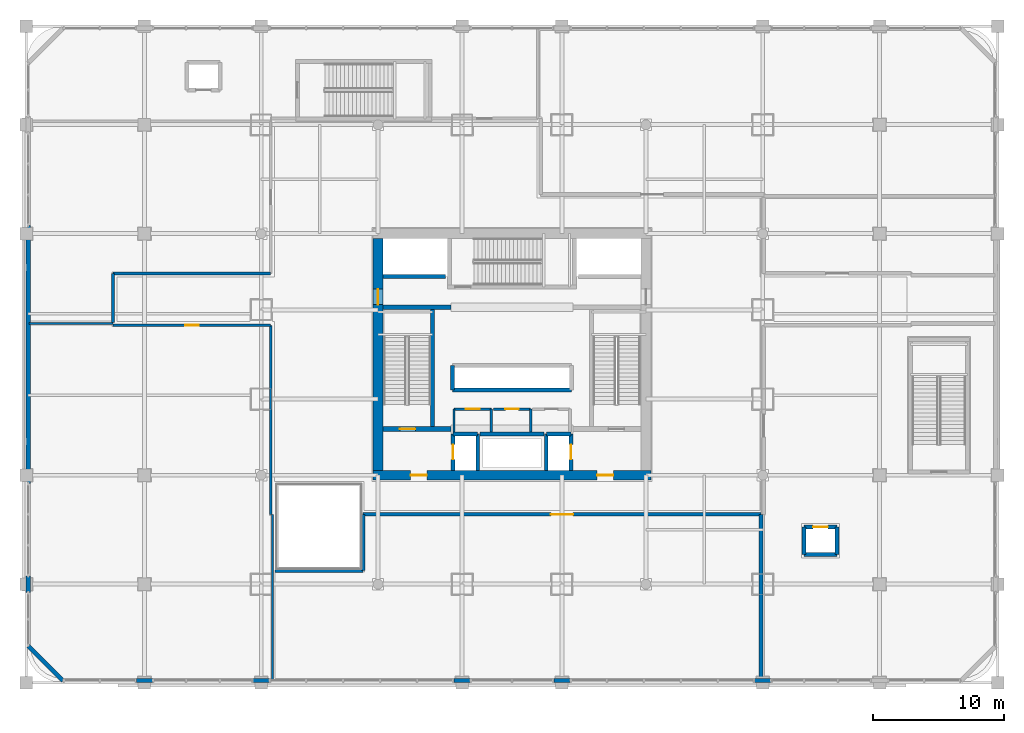
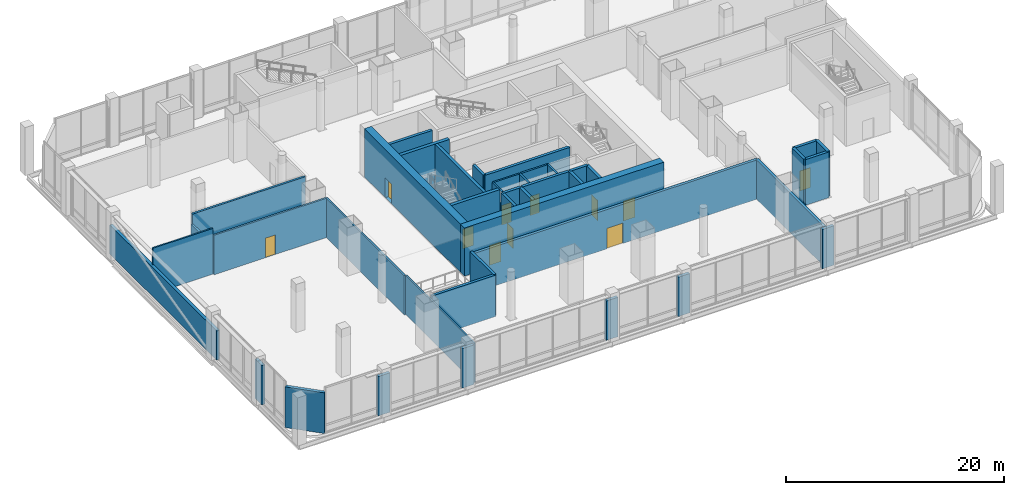
# One storey, part 27 of 39: 42 walls, 11 doors, 11 openings.
"""IFC4 building model written with IfcOpenShell, lengths in metres."""

from ifc_helpers import new_model, si_unit, direction, frame, frame_2d, origin, place, context, subcontext, project, spatial, rectangle, extrude, material, layer, layer_set, type_object, element, fill, save


model = new_model("IFC4")

# Units and contexts
model_context = context("Model", 3, precision=1e-05, world=origin(), true_north=direction((0.0, 1.0)))
body_context = subcontext(model_context, "Body", "Model", "MODEL_VIEW")
ifc_project = project(units=[si_unit("LENGTHUNIT", "METRE"), si_unit("AREAUNIT", "SQUARE_METRE"), si_unit("VOLUMEUNIT", "CUBIC_METRE"), si_unit("PLANEANGLEUNIT", "RADIAN"), si_unit("MASSUNIT", "GRAM", prefix="KILO")], contexts=[model_context])

# Site, building, storey
site_placement = place(None, origin())
site = spatial("IfcSite", under=ifc_project, at=site_placement, CompositionType="ELEMENT")
building_placement = place(site_placement, origin())
building = spatial("IfcBuilding", under=site, at=building_placement, Name="Punatoya Terracotta Tower", CompositionType="ELEMENT")
storey_placement = place(building_placement, frame((0.0, 0.0, 11.39990234375)))
storey = spatial("IfcBuildingStorey", under=building, at=storey_placement, Name="L02", CompositionType="ELEMENT", Elevation=11.39990234375)

# Walls
ifc_material_1 = material(Name="Concrete C40/50", Category="concrete")
ifc_layer_1 = layer(ifc_material_1, 0.280029296875)
ifc_layer_set_1 = layer_set([ifc_layer_1], Name="Concrete C40/50")
wall_type_1 = type_object("IfcWallType", Name="WL-AUD-280", PredefinedType="SOLIDWALL", material=ifc_layer_set_1)
wall_1_placement = place(storey_placement, frame((-18.06005859375, -16.4599609375, 0.0), z_axis=(0.0, 0.0, 1.0), x_axis=(1.0, 0.0, 0.0)))
element("IfcWall", 1, at=wall_1_placement, inside=storey, type_object=wall_type_1, Name="L02 Waterfront Staff Restaurant Dining Room Partition 12", PredefinedType="SOLIDWALL", context=body_context, shape_type="SweptSolid", body=[
    extrude(rectangle(XDim=6.719970703125, YDim=0.280029296875, at=frame_2d((3.35986328125, 0.0))), origin(), (0.0, 0.0, 1.0), 4.6640625),
])
wall_2_placement = place(storey_placement, frame((-11.340087890625, -16.4599609375, 0.0), z_axis=(0.0, 0.0, 1.0), x_axis=(0.0, 1.0, 0.0)))
element("IfcWall", 2, at=wall_2_placement, inside=storey, type_object=wall_type_1, Name="L02 Waterfront Staff Restaurant Dining Room Partition 13", PredefinedType="SOLIDWALL", context=body_context, shape_type="SweptSolid", body=[
    extrude(rectangle(XDim=4.280029296875, YDim=0.280029296875, at=frame_2d((2.14013671875, 0.0))), origin(), (0.0, 0.0, 1.0), 4.6640625),
])

# Wall, opening, door
wall_3_placement = place(storey_placement, frame((-11.340087890625, -12.179931640625, 0.0), z_axis=(0.0, 0.0, 1.0), x_axis=(1.0, 0.0, 0.0)))
wall_3 = element("IfcWall", 3, at=wall_3_placement, inside=storey, type_object=wall_type_1, Name="L02 Waterfront Staff Restaurant Dining Room Partition 14", PredefinedType="SOLIDWALL", context=body_context, shape_type="SweptSolid", body=[
    extrude(rectangle(XDim=30.300048828125, YDim=0.280029296875, at=frame_2d((15.14990234375, 0.0))), origin(), (0.0, 0.0, 1.0), 4.4140625),
])
opening_1_placement = place(wall_3_placement, frame((14.300048828125, 0.0, 0.0)))
opening_1 = element("IfcOpeningElement", 4, at=opening_1_placement, cuts=wall_3, Name="Opening FD-D1", PredefinedType="OPENING", context=body_context, shape_type="SweptSolid", body=[
    extrude(rectangle(XDim=1.699951171875, YDim=2.300048828125, at=frame_2d((0.85009765625, 1.14990234375))), frame((0.0, 0.14990234375, 0.0), z_axis=(0.0, -1.0, 0.0), x_axis=(1.0, 0.0, 0.0)), (0.0, 0.0, 1.0), 0.300048828125),
])
ifc_material_2 = material(Name="Timber Teak Veneer Fire Leaf", Category="wood")
door_type_1 = type_object("IfcDoorType", Name="DR-DIN-1700", OperationType="NOTDEFINED", PredefinedType="DOOR", material=ifc_material_2)
door_1_placement = place(opening_1_placement, origin())
door_1 = element("IfcDoor", 5, at=door_1_placement, inside=storey, type_object=door_type_1, Name="L02 Waterfront Staff Restaurant Dining Room Fire Door", OperationType="DOUBLE_DOOR_SINGLE_SWING", OverallHeight=2.300048828125, OverallWidth=1.699951171875, PredefinedType="DOOR", context=body_context, shape_type="SweptSolid", body=[
    extrude(rectangle(XDim=1.699951171875, YDim=2.300048828125, at=frame_2d((0.85009765625, 1.14990234375))), frame((0.0, 0.02490234375, 0.0), z_axis=(0.0, -1.0, 0.0), x_axis=(1.0, 0.0, 0.0)), (0.0, 0.0, 1.0), 0.050048828125),
])
fill(opening_1, door_1)

# Wall
wall_4_placement = place(storey_placement, frame((18.9599609375, -12.179931640625, 0.0), z_axis=(0.0, 0.0, 1.0), x_axis=(0.0, -1.0, 0.0)))
element("IfcWall", 6, at=wall_4_placement, inside=storey, type_object=wall_type_1, Name="L02 Waterfront Staff Restaurant Dining Room Partition 15", PredefinedType="SOLIDWALL", context=body_context, shape_type="SweptSolid", body=[
    extrude(rectangle(XDim=12.60009765625, YDim=0.280029296875, at=frame_2d((6.300048828125, 0.0))), origin(), (0.0, 0.0, 1.0), 4.4140625),
])

# Wall, openings, doors
ifc_material_3 = material(Name="Concrete C60/75", Category="concrete")
ifc_layer_2 = layer(ifc_material_3, 0.75)
ifc_layer_set_2 = layer_set([ifc_layer_2], Name="Concrete C60/75")
wall_type_2 = type_object("IfcWallType", Name="WL-COR-750", PredefinedType="SHEAR", material=ifc_layer_set_2)
wall_5_placement = place(storey_placement, frame((10.574951171875, -9.199951171875, 0.0), z_axis=(0.0, 0.0, 1.0), x_axis=(-1.0, 0.0, 0.0)))
wall_5 = element("IfcWall", 7, at=wall_5_placement, inside=storey, type_object=wall_type_2, Name="L02 Core Shear Wall S", PredefinedType="SHEAR", context=body_context, shape_type="SweptSolid", body=[
    extrude(rectangle(XDim=21.14990234375, YDim=0.75, at=frame_2d((10.574951171875, 0.0))), origin(), (0.0, 0.0, 1.0), 5.400146484375),
])
opening_2_placement = place(wall_5_placement, frame((2.85009765625, 0.0, 0.0)))
opening_2 = element("IfcOpeningElement", 8, at=opening_2_placement, cuts=wall_5, Name="Opening FD-L1", PredefinedType="OPENING", context=body_context, shape_type="SweptSolid", body=[
    extrude(rectangle(XDim=1.25, YDim=2.25, at=frame_2d((0.625, 1.125))), frame((0.0, 0.385009765625, 0.0), z_axis=(0.0, -1.0, 0.0), x_axis=(1.0, 0.0, 0.0)), (0.0, 0.0, 1.0), 0.77001953125),
])
opening_3_placement = place(wall_5_placement, frame((17.050048828125, 0.0, 0.0)))
opening_3 = element("IfcOpeningElement", 9, at=opening_3_placement, cuts=wall_5, Name="Opening FD-L1", PredefinedType="OPENING", context=body_context, shape_type="SweptSolid", body=[
    extrude(rectangle(XDim=1.25, YDim=2.25, at=frame_2d((0.625, 1.125))), frame((0.0, 0.385009765625, 0.0), z_axis=(0.0, -1.0, 0.0), x_axis=(1.0, 0.0, 0.0)), (0.0, 0.0, 1.0), 0.77001953125),
])
ifc_material_4 = material(Name="Galvanised Steel Smokeproof Fire Door", Category="steel")
door_type_2 = type_object("IfcDoorType", Name="DR-FFL-1250", OperationType="NOTDEFINED", PredefinedType="DOOR", material=ifc_material_4)
door_2_placement = place(opening_2_placement, origin())
door_2 = element("IfcDoor", 10, at=door_2_placement, inside=storey, type_object=door_type_2, Name="L02 East Firefighting Lobby Corridor Fire Door", OperationType="SINGLE_SWING_LEFT", OverallHeight=2.25, OverallWidth=1.25, PredefinedType="DOOR", context=body_context, shape_type="SweptSolid", body=[
    extrude(rectangle(XDim=1.25, YDim=2.25, at=frame_2d((0.625, 1.125))), frame((0.0, 0.02490234375, 0.0), z_axis=(0.0, -1.0, 0.0), x_axis=(1.0, 0.0, 0.0)), (0.0, 0.0, 1.0), 0.050048828125),
])
fill(opening_2, door_2)
door_3_placement = place(opening_3_placement, origin())
door_3 = element("IfcDoor", 11, at=door_3_placement, inside=storey, type_object=door_type_2, Name="L02 West Firefighting Lobby Corridor Fire Door", OperationType="SINGLE_SWING_RIGHT", OverallHeight=2.25, OverallWidth=1.25, PredefinedType="DOOR", context=body_context, shape_type="SweptSolid", body=[
    extrude(rectangle(XDim=1.25, YDim=2.25, at=frame_2d((0.625, 1.125))), frame((0.0, 0.02490234375, 0.0), z_axis=(0.0, -1.0, 0.0), x_axis=(1.0, 0.0, 0.0)), (0.0, 0.0, 1.0), 0.050048828125),
])
fill(opening_3, door_3)

# Wall, opening, door
wall_6_placement = place(storey_placement, frame((-10.199951171875, -8.824951171875, 0.0), z_axis=(0.0, 0.0, 1.0), x_axis=(0.0, 1.0, 0.0)))
wall_6 = element("IfcWall", 12, at=wall_6_placement, inside=storey, type_object=wall_type_2, Name="L02 Core Shear Wall W", PredefinedType="SHEAR", context=body_context, shape_type="SweptSolid", body=[
    extrude(rectangle(XDim=17.64990234375, YDim=0.75, at=frame_2d((8.824951171875, 0.0))), origin(), (0.0, 0.0, 1.0), 5.400146484375),
])
opening_4_placement = place(wall_6_placement, frame((12.614990234375, 0.0, 0.0)))
opening_4 = element("IfcOpeningElement", 13, at=opening_4_placement, cuts=wall_6, Name="Opening SD-01", PredefinedType="OPENING", context=body_context, shape_type="SweptSolid", body=[
    extrude(rectangle(XDim=1.179931640625, YDim=2.199951171875, at=frame_2d((0.58984375, 1.10009765625))), frame((0.0, 0.385009765625, 0.0), z_axis=(0.0, -1.0, 0.0), x_axis=(1.0, 0.0, 0.0)), (0.0, 0.0, 1.0), 0.77001953125),
])
ifc_material_5 = material(Name="Galvanised Steel Pressurized Stair Fire Door", Category="steel")
door_type_3 = type_object("IfcDoorType", Name="DR-STR-1180", OperationType="NOTDEFINED", PredefinedType="DOOR", material=ifc_material_5)
door_4_placement = place(opening_4_placement, origin())
door_4 = element("IfcDoor", 14, at=door_4_placement, inside=storey, type_object=door_type_3, Name="L02 Central Lift Lobby West Fire Door", OperationType="SINGLE_SWING_LEFT", OverallHeight=2.199951171875, OverallWidth=1.179931640625, PredefinedType="DOOR", context=body_context, shape_type="SweptSolid", body=[
    extrude(rectangle(XDim=1.179931640625, YDim=2.199951171875, at=frame_2d((0.58984375, 1.10009765625))), frame((0.0, 0.02490234375, 0.0), z_axis=(0.0, -1.0, 0.0), x_axis=(1.0, 0.0, 0.0)), (0.0, 0.0, 1.0), 0.050048828125),
])
fill(opening_4, door_4)

# Wall
ifc_material_6 = material(Name="Gypsum Fireboard + Steel Stud", Category="steel")
ifc_layer_3 = layer(ifc_material_6, 0.179931640625)
ifc_layer_set_3 = layer_set([ifc_layer_3], Name="Gypsum Fireboard + Steel Stud")
wall_type_3 = type_object("IfcWallType", Name="WL-CORR-180", PredefinedType="PARTITIONING", material=ifc_layer_set_3)
wall_7_placement = place(storey_placement, frame((-1.580078125, -5.89990234375, 0.0), z_axis=(0.0, 0.0, 1.0), x_axis=(0.0, 1.0, 0.0)))
element("IfcWall", 15, at=wall_7_placement, inside=storey, type_object=wall_type_3, Name="L02 Core Quiet Wellness Room Partition 01", PredefinedType="PARTITIONING", context=body_context, shape_type="SweptSolid", body=[
    extrude(rectangle(XDim=1.739990234375, YDim=0.179931640625, at=frame_2d((0.8701171875, 0.0))), origin(), (0.0, 0.0, 1.0), 5.1201171875),
])

# Wall, opening, door
wall_8_placement = place(storey_placement, frame((-1.580078125, -4.159912109375, 0.0), z_axis=(0.0, 0.0, 1.0), x_axis=(-1.0, 0.0, 0.0)))
wall_8 = element("IfcWall", 16, at=wall_8_placement, inside=storey, type_object=wall_type_3, Name="L02 Core Quiet Wellness Room Partition 02", PredefinedType="PARTITIONING", context=body_context, shape_type="SweptSolid", body=[
    extrude(rectangle(XDim=2.83984375, YDim=0.179931640625, at=frame_2d((1.419921875, 0.0))), origin(), (0.0, 0.0, 1.0), 5.1201171875),
])
opening_5_placement = place(wall_8_placement, frame((0.89501953125, 0.0, 0.0)))
opening_5 = element("IfcOpeningElement", 17, at=opening_5_placement, cuts=wall_8, Name="Opening OD-01", PredefinedType="OPENING", context=body_context, shape_type="SweptSolid", body=[
    extrude(rectangle(XDim=1.050048828125, YDim=2.199951171875, at=frame_2d((0.52490234375, 1.10009765625))), frame((0.0, 0.099853515625, 0.0), z_axis=(0.0, -1.0, 0.0), x_axis=(1.0, 0.0, 0.0)), (0.0, 0.0, 1.0), 0.199951171875),
])
ifc_material_7 = material(Name="Bengal Teak Solid-Core Leaf")
door_type_4 = type_object("IfcDoorType", Name="DR-OFF-1050", OperationType="NOTDEFINED", PredefinedType="DOOR", material=ifc_material_7)
door_5_placement = place(opening_5_placement, origin())
door_5 = element("IfcDoor", 18, at=door_5_placement, inside=storey, type_object=door_type_4, Name="L02 Quiet Wellness Room Door", OperationType="SINGLE_SWING_LEFT", OverallHeight=2.199951171875, OverallWidth=1.050048828125, PredefinedType="DOOR", context=body_context, shape_type="SweptSolid", body=[
    extrude(rectangle(XDim=1.050048828125, YDim=2.199951171875, at=frame_2d((0.52490234375, 1.10009765625))), frame((0.0, 0.02490234375, 0.0), z_axis=(0.0, -1.0, 0.0), x_axis=(1.0, 0.0, 0.0)), (0.0, 0.0, 1.0), 0.050048828125),
])
fill(opening_5, door_5)

# Wall
wall_9_placement = place(storey_placement, frame((-4.419921875, -4.159912109375, 0.0), z_axis=(0.0, 0.0, 1.0), x_axis=(0.0, -1.0, 0.0)))
element("IfcWall", 19, at=wall_9_placement, inside=storey, type_object=wall_type_3, Name="L02 Core Quiet Wellness Room Partition 03", PredefinedType="PARTITIONING", context=body_context, shape_type="SweptSolid", body=[
    extrude(rectangle(XDim=1.739990234375, YDim=0.179931640625, at=frame_2d((0.8701171875, 0.0))), origin(), (0.0, 0.0, 1.0), 5.1201171875),
])

# Wall, opening, door
wall_10_placement = place(storey_placement, frame((-30.3798828125, 2.219970703125, 0.0), z_axis=(0.0, 0.0, 1.0), x_axis=(1.0, 0.0, 0.0)))
wall_10 = element("IfcWall", 20, at=wall_10_placement, inside=storey, type_object=wall_type_3, Name="L02 West Dishwashing and Servery Pantry Partition 09", PredefinedType="PARTITIONING", context=body_context, shape_type="SweptSolid", body=[
    extrude(rectangle(XDim=12.0, YDim=0.179931640625, at=frame_2d((6.0, 0.0))), origin(), (0.0, 0.0, 1.0), 4.4140625),
])
opening_6_placement = place(wall_10_placement, frame((5.47509765625, 0.0, 0.0)))
opening_6 = element("IfcOpeningElement", 21, at=opening_6_placement, cuts=wall_10, Name="Opening OD-01", PredefinedType="OPENING", context=body_context, shape_type="SweptSolid", body=[
    extrude(rectangle(XDim=1.050048828125, YDim=2.199951171875, at=frame_2d((0.52490234375, 1.10009765625))), frame((0.0, 0.099853515625, 0.0), z_axis=(0.0, -1.0, 0.0), x_axis=(1.0, 0.0, 0.0)), (0.0, 0.0, 1.0), 0.199951171875),
])
door_6_placement = place(opening_6_placement, origin())
door_6 = element("IfcDoor", 22, at=door_6_placement, inside=storey, type_object=door_type_4, Name="L02 West Dishwashing and Servery Pantry Door", OperationType="SINGLE_SWING_RIGHT", OverallHeight=2.199951171875, OverallWidth=1.050048828125, PredefinedType="DOOR", context=body_context, shape_type="SweptSolid", body=[
    extrude(rectangle(XDim=1.050048828125, YDim=2.199951171875, at=frame_2d((0.52490234375, 1.10009765625))), frame((0.0, 0.02490234375, 0.0), z_axis=(0.0, -1.0, 0.0), x_axis=(1.0, 0.0, 0.0)), (0.0, 0.0, 1.0), 0.050048828125),
])
fill(opening_6, door_6)

# Walls
wall_11_placement = place(storey_placement, frame((-18.3798828125, 2.219970703125, 0.0), z_axis=(0.0, 0.0, 1.0), x_axis=(0.0, -1.0, 0.0)))
element("IfcWall", 23, at=wall_11_placement, inside=storey, type_object=wall_type_3, Name="L02 West Dishwashing and Servery Pantry Partition 10", PredefinedType="PARTITIONING", context=body_context, shape_type="SweptSolid", body=[
    extrude(rectangle(XDim=14.39990234375, YDim=0.179931640625, at=frame_2d((7.199951171875, 0.0))), origin(), (0.0, 0.0, 1.0), 4.4140625),
])
ifc_material_8 = material(Name="Precast concrete C40/50", Category="concrete")
ifc_layer_4 = layer(ifc_material_8, 0.320068359375)
ifc_layer_set_4 = layer_set([ifc_layer_4], Name="Precast concrete C40/50")
wall_type_4 = type_object("IfcWallType", Name="WL-EXT-320", PredefinedType="SOLIDWALL", material=ifc_layer_set_4)
wall_12_placement = place(storey_placement, frame((-28.6201171875, -24.840087890625, 0.0), z_axis=(0.0, 0.0, 1.0), x_axis=(1.0, 0.0, 0.0)))
element("IfcWall", 24, at=wall_12_placement, inside=storey, type_object=wall_type_4, Name="L02 South Column Cladding Pier 1", PredefinedType="SOLIDWALL", context=body_context, shape_type="SweptSolid", body=[
    extrude(rectangle(XDim=1.240234375, YDim=0.320068359375, at=frame_2d((0.6201171875, 0.0))), origin(), (0.0, 0.0, 1.0), 4.4140625),
])
for number, where, z_axis, x_axis, name in (
    (25, (-19.719970703125, -24.840087890625, 0.0), (0.0, 0.0, 1.0), (1.0, 0.0, 0.0), "L02 South Column Cladding Pier 2"),
    (26, (-4.419921875, -24.840087890625, 0.0), (0.0, 0.0, 1.0), (1.0, 0.0, 0.0), "L02 South Column Cladding Pier 3"),
    (27, (3.179931640625, -24.840087890625, 0.0), (0.0, 0.0, 1.0), (1.0, 0.0, 0.0), "L02 South Column Cladding Pier 4"),
    (28, (18.47998046875, -24.840087890625, 0.0), (0.0, 0.0, 1.0), (1.0, 0.0, 0.0), "L02 South Column Cladding Pier 5"),
):
    element("IfcWall", number, at=place(storey_placement, frame(where, z_axis=z_axis, x_axis=x_axis)), inside=storey, type_object=wall_type_4, Name=name, PredefinedType="SOLIDWALL", context=body_context, shape_type="SweptSolid", body=[
        extrude(rectangle(XDim=1.239990234375, YDim=0.320068359375, at=frame_2d((0.6201171875, 0.0))), origin(), (0.0, 0.0, 1.0), 4.4140625),
    ])
wall_13_placement = place(storey_placement, frame((-36.840087890625, -9.820068359375, 0.0), z_axis=(0.0, 0.0, 1.0), x_axis=(0.0, 1.0, 0.0)))
element("IfcWall", 29, at=wall_13_placement, inside=storey, type_object=wall_type_4, Name="L02 West Braced Terracotta Shear Wall", PredefinedType="SOLIDWALL", context=body_context, shape_type="SweptSolid", body=[
    extrude(rectangle(XDim=19.64013671875, YDim=0.320068359375, at=frame_2d((9.820068359375, 0.0))), origin(), (0.0, 0.0, 1.0), 3.26416015625),
])
wall_14_placement = place(storey_placement, frame((-36.840087890625, -18.1201171875, 0.0), z_axis=(0.0, 0.0, 1.0), x_axis=(0.0, 1.0, 0.0)))
element("IfcWall", 30, at=wall_14_placement, inside=storey, type_object=wall_type_4, Name="L02 West Pier 1-B", PredefinedType="SOLIDWALL", context=body_context, shape_type="SweptSolid", body=[
    extrude(rectangle(XDim=1.240234375, YDim=0.320068359375, at=frame_2d((0.6201171875, 0.0))), origin(), (0.0, 0.0, 1.0), 4.4140625),
])
wall_15_placement = place(storey_placement, frame((-34.199951171875, -24.840087890625, 0.0), z_axis=(0.0, 0.0, 1.0), x_axis=(-0.707106781187, 0.707106781187, 0.0)))
element("IfcWall", 31, at=wall_15_placement, inside=storey, type_object=wall_type_4, Name="L02 Terracotta Corner Pier 1", PredefinedType="SOLIDWALL", context=body_context, shape_type="SweptSolid", body=[
    extrude(rectangle(XDim=3.733642578125, YDim=0.320068359375, at=frame_2d((1.86669921875, 0.0))), origin(), (0.0, 0.0, 1.0), 4.564208984375),
])
ifc_layer_5 = layer(ifc_material_1, 0.219970703125)
ifc_layer_set_5 = layer_set([ifc_layer_5], Name="Concrete C40/50")
wall_type_5 = type_object("IfcWallType", Name="WL-FIR-220", PredefinedType="SOLIDWALL", material=ifc_layer_set_5)
wall_16_placement = place(storey_placement, frame((-18.3798828125, 6.179931640625, 0.0), z_axis=(0.0, 0.0, 1.0), x_axis=(-1.0, 0.0, 0.0)))
element("IfcWall", 32, at=wall_16_placement, inside=storey, type_object=wall_type_5, Name="L02 Central Commercial Culinary Kitchen Partition 21", PredefinedType="SOLIDWALL", context=body_context, shape_type="SweptSolid", body=[
    extrude(rectangle(XDim=12.0, YDim=0.219970703125, at=frame_2d((6.0, 0.0))), origin(), (0.0, 0.0, 1.0), 4.4140625),
])
wall_17_placement = place(storey_placement, frame((-30.3798828125, 6.179931640625, 0.0), z_axis=(0.0, 0.0, 1.0), x_axis=(0.0, -1.0, 0.0)))
element("IfcWall", 33, at=wall_17_placement, inside=storey, type_object=wall_type_5, Name="L02 Central Commercial Culinary Kitchen Partition 22", PredefinedType="SOLIDWALL", context=body_context, shape_type="SweptSolid", body=[
    extrude(rectangle(XDim=3.739990234375, YDim=0.219970703125, at=frame_2d((1.8701171875, 0.0))), origin(), (0.0, 0.0, 1.0), 3.26416015625),
])
ifc_layer_6 = layer(ifc_material_1, 0.199951171875)
ifc_layer_set_6 = layer_set([ifc_layer_6], Name="Concrete C40/50")
wall_type_6 = type_object("IfcWallType", Name="WL-INT-200", PredefinedType="SOLIDWALL", material=ifc_layer_set_6)
wall_18_placement = place(storey_placement, frame((1.419921875, -5.89990234375, 0.0), z_axis=(0.0, 0.0, 1.0), x_axis=(0.0, 1.0, 0.0)))
element("IfcWall", 34, at=wall_18_placement, inside=storey, type_object=wall_type_6, Name="L02 Accessible Universal Washroom Partition 04", PredefinedType="SOLIDWALL", context=body_context, shape_type="SweptSolid", body=[
    extrude(rectangle(XDim=1.739990234375, YDim=0.199951171875, at=frame_2d((0.8701171875, 0.0))), origin(), (0.0, 0.0, 1.0), 5.1201171875),
])

# Wall, opening, door
wall_19_placement = place(storey_placement, frame((1.419921875, -4.159912109375, 0.0), z_axis=(0.0, 0.0, 1.0), x_axis=(-1.0, 0.0, 0.0)))
wall_19 = element("IfcWall", 35, at=wall_19_placement, inside=storey, type_object=wall_type_6, Name="L02 Accessible Universal Washroom Partition 05", PredefinedType="SOLIDWALL", context=body_context, shape_type="SweptSolid", body=[
    extrude(rectangle(XDim=2.83984375, YDim=0.199951171875, at=frame_2d((1.419921875, 0.0))), origin(), (0.0, 0.0, 1.0), 5.1201171875),
])
opening_7_placement = place(wall_19_placement, frame((0.919921875, 0.0, 0.0)))
opening_7 = element("IfcOpeningElement", 36, at=opening_7_placement, cuts=wall_19, Name="Opening AWD-1", PredefinedType="OPENING", context=body_context, shape_type="SweptSolid", body=[
    extrude(rectangle(XDim=1.0, YDim=2.14990234375, at=frame_2d((0.5, 1.074951171875))), frame((0.0, 0.10986328125, 0.0), z_axis=(0.0, -1.0, 0.0), x_axis=(1.0, 0.0, 0.0)), (0.0, 0.0, 1.0), 0.219970703125),
])
ifc_material_9 = material(Name="Bengal Teak Accessible WC Leaf")
door_type_5 = type_object("IfcDoorType", Name="DR-ACC-1000", OperationType="NOTDEFINED", PredefinedType="DOOR", material=ifc_material_9)
door_7_placement = place(opening_7_placement, origin())
door_7 = element("IfcDoor", 37, at=door_7_placement, inside=storey, type_object=door_type_5, Name="L02 Accessible Universal Washroom Door", OperationType="SINGLE_SWING_RIGHT", OverallHeight=2.14990234375, OverallWidth=1.0, PredefinedType="DOOR", context=body_context, shape_type="SweptSolid", body=[
    extrude(rectangle(XDim=1.0, YDim=2.14990234375, at=frame_2d((0.5, 1.074951171875))), frame((0.0, 0.02490234375, 0.0), z_axis=(0.0, -1.0, 0.0), x_axis=(1.0, 0.0, 0.0)), (0.0, 0.0, 1.0), 0.050048828125),
])
fill(opening_7, door_7)

# Wall
ifc_layer_7 = layer(ifc_material_1, 0.300048828125)
ifc_layer_set_7 = layer_set([ifc_layer_7], Name="Concrete C40/50")
wall_type_7 = type_object("IfcWallType", Name="WL-SHF-300", PredefinedType="SOLIDWALL", material=ifc_layer_set_7)
wall_20_placement = place(storey_placement, frame((-6.050048828125, -5.5, 0.0), z_axis=(0.0, 0.0, 1.0), x_axis=(0.0, 1.0, 0.0)))
element("IfcWall", 38, at=wall_20_placement, inside=storey, type_object=wall_type_7, Name="L02 Structural Stair Shaft Wall SW-ST1-E", PredefinedType="SOLIDWALL", context=body_context, shape_type="SweptSolid", body=[
    extrude(rectangle(XDim=8.949951171875, YDim=0.300048828125, at=frame_2d((4.47509765625, 0.0))), origin(), (0.0, 0.0, 1.0), 5.400146484375),
])

# Wall, opening, door
wall_21_placement = place(storey_placement, frame((-4.489990234375, -8.820068359375, 0.0), z_axis=(0.0, 0.0, 1.0), x_axis=(0.0, 1.0, 0.0)))
wall_21 = element("IfcWall", 39, at=wall_21_placement, inside=storey, type_object=wall_type_7, Name="L02 FFL-1 Front Hoistway Wall", PredefinedType="SOLIDWALL", context=body_context, shape_type="SweptSolid", body=[
    extrude(rectangle(XDim=2.77001953125, YDim=0.300048828125, at=frame_2d((1.385009765625, 0.0))), origin(), (0.0, 0.0, 1.0), 5.1201171875),
])
opening_8_placement = place(wall_21_placement, frame((0.824951171875, 0.0, 0.0)))
opening_8 = element("IfcOpeningElement", 40, at=opening_8_placement, cuts=wall_21, Name="Opening LD-02", PredefinedType="OPENING", context=body_context, shape_type="SweptSolid", body=[
    extrude(rectangle(XDim=1.1201171875, YDim=2.25, at=frame_2d((0.56005859375, 1.125))), frame((0.0, 0.159912109375, 0.0), z_axis=(0.0, -1.0, 0.0), x_axis=(1.0, 0.0, 0.0)), (0.0, 0.0, 1.0), 0.320068359375),
])
ifc_material_10 = material(Name="Stainless Steel Lift Landing Door", Category="steel")
door_type_6 = type_object("IfcDoorType", Name="DR-LND-1120", OperationType="NOTDEFINED", PredefinedType="DOOR", material=ifc_material_10)
door_8_placement = place(opening_8_placement, origin())
door_8 = element("IfcDoor", 41, at=door_8_placement, inside=storey, type_object=door_type_6, Name="L02 Firefighting Lift FFL-1 Sliding Landing Door", OperationType="SLIDING_TO_LEFT", OverallHeight=2.25, OverallWidth=1.1201171875, PredefinedType="DOOR", context=body_context, shape_type="SweptSolid", body=[
    extrude(rectangle(XDim=1.1201171875, YDim=2.25, at=frame_2d((0.56005859375, 1.125))), frame((0.0, 0.02490234375, 0.0), z_axis=(0.0, -1.0, 0.0), x_axis=(1.0, 0.0, 0.0)), (0.0, 0.0, 1.0), 0.050048828125),
])
fill(opening_8, door_8)

# Walls
wall_22_placement = place(storey_placement, frame((-2.610107421875, -8.820068359375, 0.0), z_axis=(0.0, 0.0, 1.0), x_axis=(0.0, 1.0, 0.0)))
element("IfcWall", 42, at=wall_22_placement, inside=storey, type_object=wall_type_7, Name="L02 FFL-1 Rear Hoistway Wall", PredefinedType="SOLIDWALL", context=body_context, shape_type="SweptSolid", body=[
    extrude(rectangle(XDim=2.77001953125, YDim=0.300048828125, at=frame_2d((1.385009765625, 0.0))), origin(), (0.0, 0.0, 1.0), 5.1201171875),
])
wall_23_placement = place(storey_placement, frame((-4.489990234375, -6.050048828125, 0.0), z_axis=(0.0, 0.0, 1.0), x_axis=(1.0, 0.0, 0.0)))
element("IfcWall", 43, at=wall_23_placement, inside=storey, type_object=wall_type_7, Name="L02 FFL-1 North Hoistway Wall", PredefinedType="SOLIDWALL", context=body_context, shape_type="SweptSolid", body=[
    extrude(rectangle(XDim=1.8798828125, YDim=0.300048828125, at=frame_2d((0.93994140625, 0.0))), origin(), (0.0, 0.0, 1.0), 5.1201171875),
])

# Wall, opening, door
wall_24_placement = place(storey_placement, frame((4.489990234375, -8.820068359375, 0.0), z_axis=(0.0, 0.0, 1.0), x_axis=(0.0, 1.0, 0.0)))
wall_24 = element("IfcWall", 44, at=wall_24_placement, inside=storey, type_object=wall_type_7, Name="L02 FFL-2 Front Hoistway Wall", PredefinedType="SOLIDWALL", context=body_context, shape_type="SweptSolid", body=[
    extrude(rectangle(XDim=2.77001953125, YDim=0.300048828125, at=frame_2d((1.385009765625, 0.0))), origin(), (0.0, 0.0, 1.0), 5.1201171875),
])
opening_9_placement = place(wall_24_placement, frame((0.824951171875, 0.0, 0.0)))
opening_9 = element("IfcOpeningElement", 45, at=opening_9_placement, cuts=wall_24, Name="Opening LD-02", PredefinedType="OPENING", context=body_context, shape_type="SweptSolid", body=[
    extrude(rectangle(XDim=1.1201171875, YDim=2.25, at=frame_2d((0.56005859375, 1.125))), frame((0.0, 0.159912109375, 0.0), z_axis=(0.0, -1.0, 0.0), x_axis=(1.0, 0.0, 0.0)), (0.0, 0.0, 1.0), 0.320068359375),
])
door_9_placement = place(opening_9_placement, origin())
door_9 = element("IfcDoor", 46, at=door_9_placement, inside=storey, type_object=door_type_6, Name="L02 Firefighting Lift FFL-2 Sliding Landing Door", OperationType="SLIDING_TO_RIGHT", OverallHeight=2.25, OverallWidth=1.1201171875, PredefinedType="DOOR", context=body_context, shape_type="SweptSolid", body=[
    extrude(rectangle(XDim=1.1201171875, YDim=2.25, at=frame_2d((0.56005859375, 1.125))), frame((0.0, 0.02490234375, 0.0), z_axis=(0.0, -1.0, 0.0), x_axis=(1.0, 0.0, 0.0)), (0.0, 0.0, 1.0), 0.050048828125),
])
fill(opening_9, door_9)

# Walls
wall_25_placement = place(storey_placement, frame((2.610107421875, -8.820068359375, 0.0), z_axis=(0.0, 0.0, 1.0), x_axis=(0.0, 1.0, 0.0)))
element("IfcWall", 47, at=wall_25_placement, inside=storey, type_object=wall_type_7, Name="L02 FFL-2 Rear Hoistway Wall", PredefinedType="SOLIDWALL", context=body_context, shape_type="SweptSolid", body=[
    extrude(rectangle(XDim=2.77001953125, YDim=0.300048828125, at=frame_2d((1.385009765625, 0.0))), origin(), (0.0, 0.0, 1.0), 5.1201171875),
])
wall_26_placement = place(storey_placement, frame((2.610107421875, -6.050048828125, 0.0), z_axis=(0.0, 0.0, 1.0), x_axis=(1.0, 0.0, 0.0)))
element("IfcWall", 48, at=wall_26_placement, inside=storey, type_object=wall_type_7, Name="L02 FFL-2 North Hoistway Wall", PredefinedType="SOLIDWALL", context=body_context, shape_type="SweptSolid", body=[
    extrude(rectangle(XDim=1.8798828125, YDim=0.300048828125, at=frame_2d((0.93994140625, 0.0))), origin(), (0.0, 0.0, 1.0), 5.1201171875),
])
wall_27_placement = place(storey_placement, frame((-4.52001953125, -2.719970703125, 0.0), z_axis=(0.0, 0.0, 1.0), x_axis=(1.0, 0.0, 0.0)))
element("IfcWall", 49, at=wall_27_placement, inside=storey, type_object=wall_type_7, Name="L02 South Lift Bank Rear Shaft Wall", PredefinedType="SOLIDWALL", context=body_context, shape_type="SweptSolid", body=[
    extrude(rectangle(XDim=9.0400390625, YDim=0.300048828125, at=frame_2d((4.52001953125, 0.0))), origin(), (0.0, 0.0, 1.0), 5.1201171875),
])
wall_28_placement = place(storey_placement, frame((-4.52001953125, -2.719970703125, 0.0), z_axis=(0.0, 0.0, 1.0), x_axis=(0.0, 1.0, 0.0)))
element("IfcWall", 50, at=wall_28_placement, inside=storey, type_object=wall_type_7, Name="L02 South Lift Bank West End Wall", PredefinedType="SOLIDWALL", context=body_context, shape_type="SweptSolid", body=[
    extrude(rectangle(XDim=1.8798828125, YDim=0.300048828125, at=frame_2d((0.93994140625, 0.0))), origin(), (0.0, 0.0, 1.0), 5.1201171875),
])
wall_29_placement = place(storey_placement, frame((-9.820068359375, 5.949951171875, 0.0), z_axis=(0.0, 0.0, 1.0), x_axis=(1.0, 0.0, 0.0)))
element("IfcWall", 51, at=wall_29_placement, inside=storey, type_object=wall_type_7, Name="L02 Shuttle SL-1 South Hoistway Wall", PredefinedType="SOLIDWALL", context=body_context, shape_type="SweptSolid", body=[
    extrude(rectangle(XDim=4.760009765625, YDim=0.300048828125, at=frame_2d((2.3798828125, 0.0))), origin(), (0.0, 0.0, 1.0), 5.1201171875),
])
wall_30_placement = place(storey_placement, frame((-2.449951171875, -6.050048828125, 0.0), z_axis=(0.0, 0.0, 1.0), x_axis=(1.0, 0.0, 0.0)))
element("IfcWall", 52, at=wall_30_placement, inside=storey, type_object=wall_type_7, Name="L02 Observation Shuttle Rear Hoistway Wall", PredefinedType="SOLIDWALL", context=body_context, shape_type="SweptSolid", body=[
    extrude(rectangle(XDim=4.89990234375, YDim=0.300048828125, at=frame_2d((2.449951171875, 0.0))), origin(), (0.0, 0.0, 1.0), 5.1201171875),
])

# Wall, opening, door
wall_31_placement = place(storey_placement, frame((22.25, -13.14990234375, 0.0), z_axis=(0.0, 0.0, 1.0), x_axis=(1.0, 0.0, 0.0)))
wall_31 = element("IfcWall", 53, at=wall_31_placement, inside=storey, type_object=wall_type_7, Name="L02 Podium Lift PL-P2 Front Wall", PredefinedType="SOLIDWALL", context=body_context, shape_type="SweptSolid", body=[
    extrude(rectangle(XDim=2.5, YDim=0.300048828125, at=frame_2d((1.25, 0.0))), origin(), (0.0, 0.0, 1.0), 5.1201171875),
])
opening_10_placement = place(wall_31_placement, frame((0.68994140625, 0.0, 0.0)))
opening_10 = element("IfcOpeningElement", 54, at=opening_10_placement, cuts=wall_31, Name="Opening LD-02", PredefinedType="OPENING", context=body_context, shape_type="SweptSolid", body=[
    extrude(rectangle(XDim=1.1201171875, YDim=2.25, at=frame_2d((0.56005859375, 1.125))), frame((0.0, 0.159912109375, 0.0), z_axis=(0.0, -1.0, 0.0), x_axis=(1.0, 0.0, 0.0)), (0.0, 0.0, 1.0), 0.320068359375),
])
door_10_placement = place(opening_10_placement, origin())
door_10 = element("IfcDoor", 55, at=door_10_placement, inside=storey, type_object=door_type_6, Name="L02 Podium Lift PL-P2 Sliding Landing Door", OperationType="DOUBLE_DOOR_SLIDING", OverallHeight=2.25, OverallWidth=1.1201171875, PredefinedType="DOOR", context=body_context, shape_type="SweptSolid", body=[
    extrude(rectangle(XDim=1.1201171875, YDim=2.25, at=frame_2d((0.56005859375, 1.125))), frame((0.0, 0.02490234375, 0.0), z_axis=(0.0, -1.0, 0.0), x_axis=(1.0, 0.0, 0.0)), (0.0, 0.0, 1.0), 0.050048828125),
])
fill(opening_10, door_10)

# Walls
wall_32_placement = place(storey_placement, frame((22.25, -15.25, 0.0), z_axis=(0.0, 0.0, 1.0), x_axis=(1.0, 0.0, 0.0)))
element("IfcWall", 56, at=wall_32_placement, inside=storey, type_object=wall_type_7, Name="L02 Podium Lift PL-P2 Rear Wall", PredefinedType="SOLIDWALL", context=body_context, shape_type="SweptSolid", body=[
    extrude(rectangle(XDim=2.5, YDim=0.300048828125, at=frame_2d((1.25, 0.0))), origin(), (0.0, 0.0, 1.0), 5.1201171875),
])
for number, where, z_axis, x_axis, name in (
    (57, (22.25, -15.25, 0.0), (0.0, 0.0, 1.0), (0.0, 1.0, 0.0), "L02 Podium Lift PL-P2 West Wall"),
    (58, (24.75, -15.25, 0.0), (0.0, 0.0, 1.0), (0.0, 1.0, 0.0), "L02 Podium Lift PL-P2 East Wall"),
):
    element("IfcWall", number, at=place(storey_placement, frame(where, z_axis=z_axis, x_axis=x_axis)), inside=storey, type_object=wall_type_7, Name=name, PredefinedType="SOLIDWALL", context=body_context, shape_type="SweptSolid", body=[
        extrude(rectangle(XDim=2.10009765625, YDim=0.300048828125, at=frame_2d((1.050048828125, 0.0))), origin(), (0.0, 0.0, 1.0), 5.1201171875),
    ])

# Wall, opening, door
ifc_material_11 = material(Name="Concrete C50/60", Category="concrete")
ifc_layer_8 = layer(ifc_material_11, 0.35009765625)
ifc_layer_set_8 = layer_set([ifc_layer_8], Name="Concrete C50/60")
wall_type_8 = type_object("IfcWallType", Name="WL-SHF-350", PredefinedType="SOLIDWALL", material=ifc_layer_set_8)
wall_33_placement = place(storey_placement, frame((-9.824951171875, -5.679931640625, 0.0), z_axis=(0.0, 0.0, 1.0), x_axis=(1.0, 0.0, 0.0)))
wall_33 = element("IfcWall", 59, at=wall_33_placement, inside=storey, type_object=wall_type_8, Name="L02 Core Web Wall CSW-L", PredefinedType="SOLIDWALL", context=body_context, shape_type="SweptSolid", body=[
    extrude(rectangle(XDim=5.175048828125, YDim=0.35009765625, at=frame_2d((2.58740234375, 0.0))), origin(), (0.0, 0.0, 1.0), 5.400146484375),
])
opening_11_placement = place(wall_33_placement, frame((1.284912109375, 0.0, 0.0)))
opening_11 = element("IfcOpeningElement", 60, at=opening_11_placement, cuts=wall_33, Name="Opening SD-01", PredefinedType="OPENING", context=body_context, shape_type="SweptSolid", body=[
    extrude(rectangle(XDim=1.179931640625, YDim=2.199951171875, at=frame_2d((0.58984375, 1.10009765625))), frame((0.0, 0.18505859375, 0.0), z_axis=(0.0, -1.0, 0.0), x_axis=(1.0, 0.0, 0.0)), (0.0, 0.0, 1.0), 0.3701171875),
])
door_11_placement = place(opening_11_placement, origin())
door_11 = element("IfcDoor", 61, at=door_11_placement, inside=storey, type_object=door_type_3, Name="L02 Stair ST-1 Smokeproof Lobby Fire Door", OperationType="SINGLE_SWING_LEFT", OverallHeight=2.199951171875, OverallWidth=1.179931640625, PredefinedType="DOOR", context=body_context, shape_type="SweptSolid", body=[
    extrude(rectangle(XDim=1.179931640625, YDim=2.199951171875, at=frame_2d((0.58984375, 1.10009765625))), frame((0.0, 0.02490234375, 0.0), z_axis=(0.0, -1.0, 0.0), x_axis=(1.0, 0.0, 0.0)), (0.0, 0.0, 1.0), 0.050048828125),
])
fill(opening_11, door_11)

# Walls
wall_34_placement = place(storey_placement, frame((-9.824951171875, 3.60009765625, 0.0), z_axis=(0.0, 0.0, 1.0), x_axis=(1.0, 0.0, 0.0)))
element("IfcWall", 62, at=wall_34_placement, inside=storey, type_object=wall_type_8, Name="L02 Core Web Wall CNW-L", PredefinedType="SOLIDWALL", context=body_context, shape_type="SweptSolid", body=[
    extrude(rectangle(XDim=5.175048828125, YDim=0.35009765625, at=frame_2d((2.58740234375, 0.0))), origin(), (0.0, 0.0, 1.0), 5.400146484375),
])
ifc_material_12 = material(Name="Masonry Blockwork + Ceramic Tile", Category="masonry")
ifc_layer_9 = layer(ifc_material_12, 0.159912109375)
ifc_layer_set_9 = layer_set([ifc_layer_9], Name="Masonry Blockwork + Ceramic Tile")
wall_type_9 = type_object("IfcWallType", Name="WL-WET-160", PredefinedType="PARTITIONING", material=ifc_layer_set_9)
wall_35_placement = place(storey_placement, frame((-36.780029296875, 2.360107421875, 0.0), z_axis=(0.0, 0.0, 1.0), x_axis=(1.0, 0.0, 0.0)))
element("IfcWall", 63, at=wall_35_placement, inside=storey, type_object=wall_type_9, Name="L02 West Dishwashing and Servery Pantry Partition 08", PredefinedType="PARTITIONING", context=body_context, shape_type="SweptSolid", body=[
    extrude(rectangle(XDim=6.400146484375, YDim=0.159912109375, at=frame_2d((3.2001953125, 0.0))), origin(), (0.0, 0.0, 1.0), 5.1201171875),
])
wall_36_placement = place(storey_placement, frame((-18.239990234375, -12.179931640625, 0.0), z_axis=(0.0, 0.0, 1.0), x_axis=(0.0, -1.0, 0.0)))
element("IfcWall", 64, at=wall_36_placement, inside=storey, type_object=wall_type_9, Name="L02 West Dishwashing and Servery Pantry Partition 11", PredefinedType="PARTITIONING", context=body_context, shape_type="SweptSolid", body=[
    extrude(rectangle(XDim=12.60009765625, YDim=0.159912109375, at=frame_2d((6.300048828125, 0.0))), origin(), (0.0, 0.0, 1.0), 4.4140625),
])

save(model, "model.ifc")
